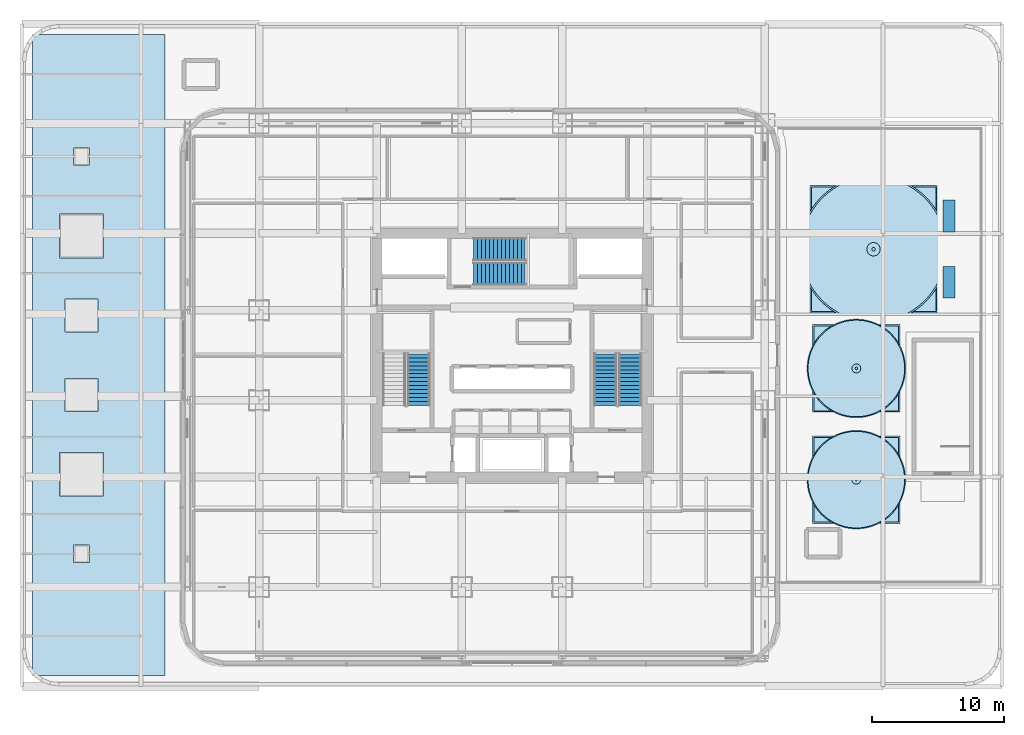
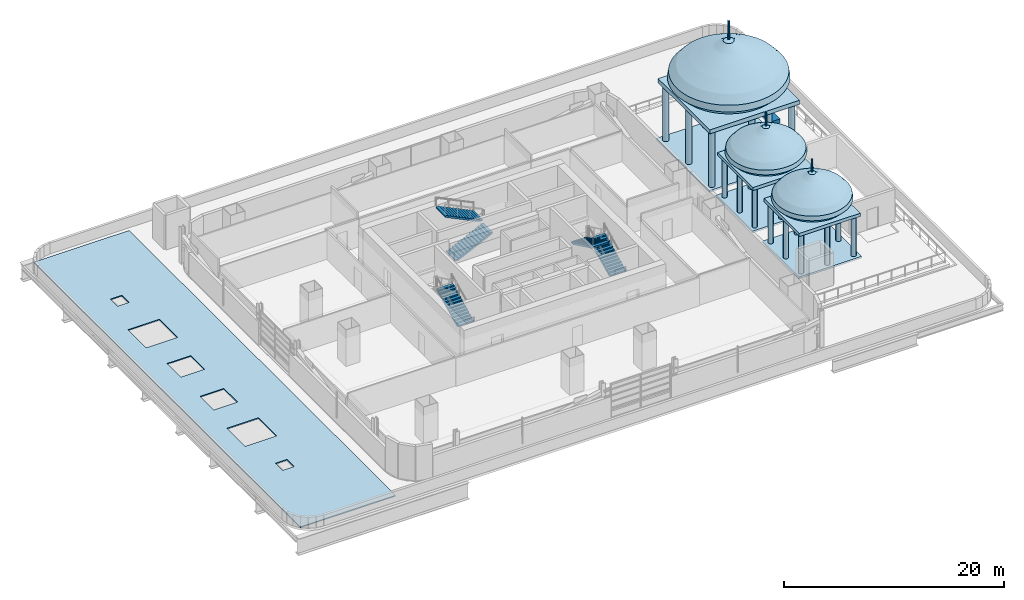
# One storey, part 17 of 30: 5 stair flights, 4 roofs, 2 discrete accessories, 3 elements without a shape of their own.
"""IFC4 building model written with IfcOpenShell, lengths in metres."""

from ifc_helpers import new_model, entity, si_unit, direction, frame, origin, origin_2d, place, context, subcontext, project, spatial, polyline, rectangle, circle, outline, extrude, material, layer, layer_set, type_object, element, aggregate, save


model = new_model("IFC4")

# Units and contexts
model_context = context("Model", 3, precision=1e-05, world=origin(), true_north=direction((0.0, 1.0)))
body_context = subcontext(model_context, "Body", "Model", "MODEL_VIEW")
ifc_project = project(units=[si_unit("LENGTHUNIT", "METRE"), si_unit("AREAUNIT", "SQUARE_METRE"), si_unit("VOLUMEUNIT", "CUBIC_METRE"), si_unit("PLANEANGLEUNIT", "RADIAN"), si_unit("MASSUNIT", "GRAM", prefix="KILO")], contexts=[model_context])

# Site, building, storey
site_placement = place(None, origin())
site = spatial("IfcSite", under=ifc_project, at=site_placement, CompositionType="ELEMENT")
building_placement = place(site_placement, origin())
building = spatial("IfcBuilding", under=site, at=building_placement, Name="Punatoya Terracotta Tower", CompositionType="ELEMENT")
storey_placement = place(building_placement, frame((0.0, 0.0, 28.199951171875)))
storey = spatial("IfcBuildingStorey", under=building, at=storey_placement, Name="L05", CompositionType="ELEMENT", Elevation=28.199951171875)

# Stair, stair flight
ifc_material_1 = material(Name="Concrete C40/50", Category="concrete")
stair_type_1 = type_object("IfcStairType", Name="STR-CORE-1550", PredefinedType="HALF_TURN_STAIR", material=ifc_material_1)
stair_1_placement = place(storey_placement, origin())
stair_1 = element("IfcStair", 1, at=stair_1_placement, inside=storey, type_object=stair_type_1, Name="L05 Protected Core Exit Stair ST-1", PredefinedType="HALF_TURN_STAIR")
stair_flight_type_1 = type_object("IfcStairFlightType", Name="SFL-CORE-1550", PredefinedType="STRAIGHT", material=ifc_material_1)
stair_flight_1_placement = place(storey_placement, frame((-7.050048828125, -3.800048828125, 0.0), z_axis=(0.0, 0.0, 1.0), x_axis=(0.0, 1.0, 0.0)))
stair_flight_1 = element("IfcStairFlight", 2, at=stair_flight_1_placement, type_object=stair_flight_type_1, Name="ST-1 flight 1", NumberOfRisers=14, NumberOfTreads=13, PredefinedType="STRAIGHT", RiserHeight=0.144642857, TreadLength=0.3, context=body_context, shape_type="SweptSolid", body=[
    extrude(outline(polyline([(0.0, 0.0), (0.0, 0.14453125), (0.300048828125, 0.14453125), (0.300048828125, 0.289306640625), (0.60009765625, 0.289306640625), (0.60009765625, 0.433837890625), (0.89990234375, 0.433837890625), (0.89990234375, 0.57861328125), (1.199951171875, 0.57861328125), (1.199951171875, 0.72314453125), (1.5, 0.72314453125), (1.5, 0.867919921875), (1.800048828125, 0.867919921875), (1.800048828125, 1.012451171875), (2.10009765625, 1.012451171875), (2.10009765625, 1.1572265625), (2.39990234375, 1.1572265625), (2.39990234375, 1.3017578125), (2.699951171875, 1.3017578125), (2.699951171875, 1.446533203125), (3.0, 1.446533203125), (3.0, 1.591064453125), (3.300048828125, 1.591064453125), (3.300048828125, 1.735595703125), (3.60009765625, 1.735595703125), (3.60009765625, 1.88037109375), (3.89990234375, 1.88037109375), (3.89990234375, 2.02490234375), (3.89990234375, 1.7138671875), (0.34521484375, 0.0), (0.0, 0.0)])), frame((0.0, 0.85009765625, 0.0), z_axis=(0.0, -1.0, 0.0), x_axis=(1.0, 0.0, 0.0)), (0.0, 0.0, 1.0), 1.699951171875),
])
aggregate(stair_1, [stair_flight_1])

# Stair, stair flights
stair_type_2 = type_object("IfcStairType", Name="STR-LOB-1650", PredefinedType="HALF_TURN_STAIR", material=ifc_material_1)
stair_2_placement = place(storey_placement, origin())
stair_2 = element("IfcStair", 3, at=stair_2_placement, inside=storey, type_object=stair_type_2, Name="L05 Protected Core Exit Stair ST-2", PredefinedType="HALF_TURN_STAIR")
stair_flight_type_2 = type_object("IfcStairFlightType", Name="SFL-LOB-1650", PredefinedType="STRAIGHT", material=ifc_material_1)
stair_flight_2_placement = place(storey_placement, frame((8.89990234375, -3.800048828125, 0.0), z_axis=(0.0, 0.0, 1.0), x_axis=(0.0, 1.0, 0.0)))
stair_flight_2 = element("IfcStairFlight", 4, at=stair_flight_2_placement, type_object=stair_flight_type_2, Name="ST-2 flight 1", NumberOfRisers=14, NumberOfTreads=13, PredefinedType="STRAIGHT", RiserHeight=0.144642857, TreadLength=0.3, context=body_context, shape_type="SweptSolid", body=[
    extrude(outline(polyline([(0.0, 0.0), (0.0, 0.14453125), (0.300048828125, 0.14453125), (0.300048828125, 0.289306640625), (0.60009765625, 0.289306640625), (0.60009765625, 0.433837890625), (0.89990234375, 0.433837890625), (0.89990234375, 0.57861328125), (1.199951171875, 0.57861328125), (1.199951171875, 0.72314453125), (1.5, 0.72314453125), (1.5, 0.867919921875), (1.800048828125, 0.867919921875), (1.800048828125, 1.012451171875), (2.10009765625, 1.012451171875), (2.10009765625, 1.1572265625), (2.39990234375, 1.1572265625), (2.39990234375, 1.3017578125), (2.699951171875, 1.3017578125), (2.699951171875, 1.446533203125), (3.0, 1.446533203125), (3.0, 1.591064453125), (3.300048828125, 1.591064453125), (3.300048828125, 1.735595703125), (3.60009765625, 1.735595703125), (3.60009765625, 1.88037109375), (3.89990234375, 1.88037109375), (3.89990234375, 2.02490234375), (3.89990234375, 1.7138671875), (0.34521484375, 0.0), (0.0, 0.0)])), frame((0.0, 0.85009765625, 0.0), z_axis=(0.0, -1.0, 0.0), x_axis=(1.0, 0.0, 0.0)), (0.0, 0.0, 1.0), 1.699951171875),
])
stair_flight_3_placement = place(storey_placement, frame((7.050048828125, 0.10009765625, 2.025146484375), z_axis=(0.0, 0.0, 1.0), x_axis=(0.0, -1.0, 0.0)))
stair_flight_3 = element("IfcStairFlight", 5, at=stair_flight_3_placement, type_object=stair_flight_type_2, Name="ST-2 flight 2", NumberOfRisers=14, NumberOfTreads=13, PredefinedType="STRAIGHT", RiserHeight=0.144642857, TreadLength=0.3, context=body_context, shape_type="SweptSolid", body=[
    extrude(outline(polyline([(0.0, 0.0), (0.0, 0.14453125), (0.300048828125, 0.14453125), (0.300048828125, 0.289306640625), (0.60009765625, 0.289306640625), (0.60009765625, 0.433837890625), (0.89990234375, 0.433837890625), (0.89990234375, 0.57861328125), (1.199951171875, 0.57861328125), (1.199951171875, 0.72314453125), (1.5, 0.72314453125), (1.5, 0.867919921875), (1.800048828125, 0.867919921875), (1.800048828125, 1.012451171875), (2.10009765625, 1.012451171875), (2.10009765625, 1.1572265625), (2.39990234375, 1.1572265625), (2.39990234375, 1.3017578125), (2.699951171875, 1.3017578125), (2.699951171875, 1.446533203125), (3.0, 1.446533203125), (3.0, 1.591064453125), (3.300048828125, 1.591064453125), (3.300048828125, 1.735595703125), (3.60009765625, 1.735595703125), (3.60009765625, 1.88037109375), (3.89990234375, 1.88037109375), (3.89990234375, 2.02490234375), (3.89990234375, 1.7138671875), (0.34521484375, 0.0), (0.0, 0.0)])), frame((0.0, 0.85009765625, 0.0), z_axis=(0.0, -1.0, 0.0), x_axis=(1.0, 0.0, 0.0)), (0.0, 0.0, 1.0), 1.699951171875),
])
aggregate(stair_2, [stair_flight_2, stair_flight_3])

stair_type_3 = type_object("IfcStairType", Name="STR-TER-1450", PredefinedType="HALF_TURN_STAIR", material=ifc_material_1)
stair_3_placement = place(storey_placement, origin())
stair_3 = element("IfcStair", 6, at=stair_3_placement, inside=storey, type_object=stair_type_3, Name="L05 Protected Core Exit Stair ST-3", PredefinedType="HALF_TURN_STAIR")
stair_flight_type_3 = type_object("IfcStairFlightType", Name="SFL-TER-1450", PredefinedType="STRAIGHT", material=ifc_material_1)
stair_flight_4_placement = place(storey_placement, frame((-2.89990234375, 6.14990234375, 0.0), z_axis=(0.0, 0.0, 1.0), x_axis=(1.0, 0.0, 0.0)))
stair_flight_4 = element("IfcStairFlight", 7, at=stair_flight_4_placement, type_object=stair_flight_type_3, Name="ST-3 flight 1", NumberOfRisers=14, NumberOfTreads=13, PredefinedType="STRAIGHT", RiserHeight=0.144642857, TreadLength=0.3, context=body_context, shape_type="SweptSolid", body=[
    extrude(outline(polyline([(0.0, 0.0), (0.0, 0.14453125), (0.300048828125, 0.14453125), (0.300048828125, 0.289306640625), (0.60009765625, 0.289306640625), (0.60009765625, 0.433837890625), (0.89990234375, 0.433837890625), (0.89990234375, 0.57861328125), (1.199951171875, 0.57861328125), (1.199951171875, 0.72314453125), (1.5, 0.72314453125), (1.5, 0.867919921875), (1.800048828125, 0.867919921875), (1.800048828125, 1.012451171875), (2.10009765625, 1.012451171875), (2.10009765625, 1.1572265625), (2.39990234375, 1.1572265625), (2.39990234375, 1.3017578125), (2.699951171875, 1.3017578125), (2.699951171875, 1.446533203125), (3.0, 1.446533203125), (3.0, 1.591064453125), (3.300048828125, 1.591064453125), (3.300048828125, 1.735595703125), (3.60009765625, 1.735595703125), (3.60009765625, 1.88037109375), (3.89990234375, 1.88037109375), (3.89990234375, 2.02490234375), (3.89990234375, 1.7138671875), (0.34521484375, 0.0), (0.0, 0.0)])), frame((0.0, 0.85009765625, 0.0), z_axis=(0.0, -1.0, 0.0), x_axis=(1.0, 0.0, 0.0)), (0.0, 0.0, 1.0), 1.699951171875),
])
stair_flight_5_placement = place(storey_placement, frame((1.0, 8.0, 2.025146484375), z_axis=(0.0, 0.0, 1.0), x_axis=(-1.0, 0.0, 0.0)))
stair_flight_5 = element("IfcStairFlight", 8, at=stair_flight_5_placement, type_object=stair_flight_type_3, Name="ST-3 flight 2", NumberOfRisers=14, NumberOfTreads=13, PredefinedType="STRAIGHT", RiserHeight=0.144642857, TreadLength=0.3, context=body_context, shape_type="SweptSolid", body=[
    extrude(outline(polyline([(0.0, 0.0), (0.0, 0.14453125), (0.300048828125, 0.14453125), (0.300048828125, 0.289306640625), (0.60009765625, 0.289306640625), (0.60009765625, 0.433837890625), (0.89990234375, 0.433837890625), (0.89990234375, 0.57861328125), (1.199951171875, 0.57861328125), (1.199951171875, 0.72314453125), (1.5, 0.72314453125), (1.5, 0.867919921875), (1.800048828125, 0.867919921875), (1.800048828125, 1.012451171875), (2.10009765625, 1.012451171875), (2.10009765625, 1.1572265625), (2.39990234375, 1.1572265625), (2.39990234375, 1.3017578125), (2.699951171875, 1.3017578125), (2.699951171875, 1.446533203125), (3.0, 1.446533203125), (3.0, 1.591064453125), (3.300048828125, 1.591064453125), (3.300048828125, 1.735595703125), (3.60009765625, 1.735595703125), (3.60009765625, 1.88037109375), (3.89990234375, 1.88037109375), (3.89990234375, 2.02490234375), (3.89990234375, 1.7138671875), (0.34521484375, 0.0), (0.0, 0.0)])), frame((0.0, 0.85009765625, 0.0), z_axis=(0.0, -1.0, 0.0), x_axis=(1.0, 0.0, 0.0)), (0.0, 0.0, 1.0), 1.699951171875),
])
aggregate(stair_3, [stair_flight_4, stair_flight_5])

# Roofs
ifc_layer = layer(ifc_material_1, 0.25)
ifc_layer_set = layer_set([ifc_layer], Name="Concrete C40/50")
roof_type_1 = type_object("IfcRoofType", Name="ROF-BARADARI", PredefinedType="FLAT_ROOF", material=ifc_layer_set)
roof_1_placement = place(storey_placement, origin())
element("IfcRoof", 9, at=roof_1_placement, inside=storey, type_object=roof_type_1, Name="L05 West Podium Roof Waterproofing Assembly", PredefinedType="FLAT_ROOF", context=body_context, shape_type="SweptSolid", body=[
    extrude(outline(polyline([(-36.199951171875, -24.199951171875), (-26.199951171875, -24.199951171875), (-26.199951171875, 24.199951171875), (-36.199951171875, 24.199951171875), (-36.199951171875, -24.199951171875)]), holes=[polyline([(-33.10009765625, -15.64990234375), (-33.10009765625, -14.35009765625), (-31.89990234375, -14.35009765625), (-31.89990234375, -15.64990234375), (-33.10009765625, -15.64990234375)]), polyline([(-34.14990234375, -7.35009765625), (-30.85009765625, -7.35009765625), (-30.85009765625, -10.64990234375), (-34.14990234375, -10.64990234375), (-34.14990234375, -7.35009765625)]), polyline([(-33.75, -1.75), (-31.25, -1.75), (-31.25, -4.25), (-33.75, -4.25), (-33.75, -1.75)]), polyline([(-33.75, 1.75), (-33.75, 4.25), (-31.25, 4.25), (-31.25, 1.75), (-33.75, 1.75)]), polyline([(-34.14990234375, 10.64990234375), (-30.85009765625, 10.64990234375), (-30.85009765625, 7.35009765625), (-34.14990234375, 7.35009765625), (-34.14990234375, 10.64990234375)]), polyline([(-33.10009765625, 15.64990234375), (-31.89990234375, 15.64990234375), (-31.89990234375, 14.35009765625), (-33.10009765625, 14.35009765625), (-33.10009765625, 15.64990234375)])]), origin(), (0.0, 0.0, 1.0), 0.1201171875),
])
ifc_material_2 = material(Name="Architectural Fired Terracotta", Category="masonry")
roof_type_2 = type_object("IfcRoofType", Name="ROF-CHH-6000", PredefinedType="DOME_ROOF", material=ifc_material_2)
roof_2_placement = place(storey_placement, frame((26.0, -1.0, 0.0), z_axis=(0.0, 0.0, 1.0), x_axis=(1.0, 0.0, 0.0)))
cartesian_point_1 = entity("IfcCartesianPoint", [0.0, 0.0])
element("IfcRoof", 10, at=roof_2_placement, inside=storey, type_object=roof_type_2, Name="L05 Podium Garden Pavilion (Chhatri) CH-02", PredefinedType="DOME_ROOF", context=body_context, shape_type="SweptSolid", body=[
    extrude(rectangle(XDim=6.60009765625, YDim=6.60009765625, at=origin_2d()), origin(), (0.0, 0.0, 1.0), 0.199951171875),
    extrude(circle(Radius=0.25, at=origin_2d()), frame((-2.75, -2.75, 0.199951171875)), (0.0, 0.0, 1.0), 4.39990234375),
    extrude(circle(Radius=0.25, at=origin_2d()), frame((2.75, -2.75, 0.199951171875)), (0.0, 0.0, 1.0), 4.39990234375),
    extrude(circle(Radius=0.25, at=origin_2d()), frame((2.75, 2.75, 0.199951171875)), (0.0, 0.0, 1.0), 4.39990234375),
    extrude(circle(Radius=0.25, at=origin_2d()), frame((-2.75, 2.75, 0.199951171875)), (0.0, 0.0, 1.0), 4.39990234375),
    extrude(circle(Radius=0.25, at=origin_2d()), frame((0.0, -2.75, 0.199951171875)), (0.0, 0.0, 1.0), 4.39990234375),
    extrude(circle(Radius=0.25, at=origin_2d()), frame((2.75, 0.0, 0.199951171875)), (0.0, 0.0, 1.0), 4.39990234375),
    extrude(circle(Radius=0.25, at=origin_2d()), frame((0.0, 2.75, 0.199951171875)), (0.0, 0.0, 1.0), 4.39990234375),
    extrude(circle(Radius=0.25, at=origin_2d()), frame((-2.75, 0.0, 0.199951171875)), (0.0, 0.0, 1.0), 4.39990234375),
    extrude(rectangle(XDim=6.39990234375, YDim=6.39990234375, at=origin_2d()), frame((0.0, 0.0, 4.599853515625)), (0.0, 0.0, 1.0), 0.35009765625),
    entity("IfcRevolvedAreaSolid", entity("IfcArbitraryClosedProfileDef", "AREA", None, entity("IfcPolyline", [cartesian_point_1, entity("IfcCartesianPoint", [2.455078125, 0.0]), entity("IfcCartesianPoint", [2.678466796875, 0.18994140625]), entity("IfcCartesianPoint", [3.273681640625, 0.493896484375]), entity("IfcCartesianPoint", [3.719970703125, 0.949951171875]), entity("IfcCartesianPoint", [3.6455078125, 1.406005859375]), entity("IfcCartesianPoint", [3.19921875, 1.93798828125]), entity("IfcCartesianPoint", [2.380859375, 2.469970703125]), entity("IfcCartesianPoint", [1.5625, 2.926025390625]), entity("IfcCartesianPoint", [0.892822265625, 3.26806640625]), entity("IfcCartesianPoint", [0.520751953125, 3.533935546875]), entity("IfcCartesianPoint", [0.334716796875, 3.68603515625]), entity("IfcCartesianPoint", [0.0, 3.800048828125]), cartesian_point_1])), entity("IfcAxis2Placement3D", entity("IfcCartesianPoint", [0.0, 0.0, 4.949951171875]), entity("IfcDirection", [0.0, -1.0, 0.0]), entity("IfcDirection", [1.0, 0.0, 0.0])), entity("IfcAxis1Placement", entity("IfcCartesianPoint", [0.0, 0.0, 0.0]), entity("IfcDirection", [0.0, 1.0, 0.0])), 6.283185307179586),
    extrude(circle(Radius=0.10009765625, at=origin_2d()), frame((0.0, 0.0, 8.75)), (0.0, 0.0, 1.0), 1.39990234375),
])
roof_3_placement = place(storey_placement, frame((26.0, -9.39990234375, 0.0), z_axis=(0.0, 0.0, 1.0), x_axis=(1.0, 0.0, 0.0)))
cartesian_point_2 = entity("IfcCartesianPoint", [0.0, 0.0])
element("IfcRoof", 11, at=roof_3_placement, inside=storey, type_object=roof_type_2, Name="L05 Podium Garden Pavilion (Chhatri) CH-03", PredefinedType="DOME_ROOF", context=body_context, shape_type="SweptSolid", body=[
    extrude(rectangle(XDim=6.60009765625, YDim=6.60009765625, at=origin_2d()), origin(), (0.0, 0.0, 1.0), 0.199951171875),
    extrude(circle(Radius=0.25, at=origin_2d()), frame((-2.75, -2.75, 0.199951171875)), (0.0, 0.0, 1.0), 4.39990234375),
    extrude(circle(Radius=0.25, at=origin_2d()), frame((2.75, -2.75, 0.199951171875)), (0.0, 0.0, 1.0), 4.39990234375),
    extrude(circle(Radius=0.25, at=origin_2d()), frame((2.75, 2.75, 0.199951171875)), (0.0, 0.0, 1.0), 4.39990234375),
    extrude(circle(Radius=0.25, at=origin_2d()), frame((-2.75, 2.75, 0.199951171875)), (0.0, 0.0, 1.0), 4.39990234375),
    extrude(circle(Radius=0.25, at=origin_2d()), frame((0.0, -2.75, 0.199951171875)), (0.0, 0.0, 1.0), 4.39990234375),
    extrude(circle(Radius=0.25, at=origin_2d()), frame((2.75, 0.0, 0.199951171875)), (0.0, 0.0, 1.0), 4.39990234375),
    extrude(circle(Radius=0.25, at=origin_2d()), frame((0.0, 2.75, 0.199951171875)), (0.0, 0.0, 1.0), 4.39990234375),
    extrude(circle(Radius=0.25, at=origin_2d()), frame((-2.75, 0.0, 0.199951171875)), (0.0, 0.0, 1.0), 4.39990234375),
    extrude(rectangle(XDim=6.39990234375, YDim=6.39990234375, at=origin_2d()), frame((0.0, 0.0, 4.599853515625)), (0.0, 0.0, 1.0), 0.35009765625),
    entity("IfcRevolvedAreaSolid", entity("IfcArbitraryClosedProfileDef", "AREA", None, entity("IfcPolyline", [cartesian_point_2, entity("IfcCartesianPoint", [2.455078125, 0.0]), entity("IfcCartesianPoint", [2.678466796875, 0.18994140625]), entity("IfcCartesianPoint", [3.273681640625, 0.493896484375]), entity("IfcCartesianPoint", [3.719970703125, 0.949951171875]), entity("IfcCartesianPoint", [3.6455078125, 1.406005859375]), entity("IfcCartesianPoint", [3.19921875, 1.93798828125]), entity("IfcCartesianPoint", [2.380859375, 2.469970703125]), entity("IfcCartesianPoint", [1.5625, 2.926025390625]), entity("IfcCartesianPoint", [0.892822265625, 3.26806640625]), entity("IfcCartesianPoint", [0.520751953125, 3.533935546875]), entity("IfcCartesianPoint", [0.334716796875, 3.68603515625]), entity("IfcCartesianPoint", [0.0, 3.800048828125]), cartesian_point_2])), entity("IfcAxis2Placement3D", entity("IfcCartesianPoint", [0.0, 0.0, 4.949951171875]), entity("IfcDirection", [0.0, -1.0, 0.0]), entity("IfcDirection", [1.0, 0.0, 0.0])), entity("IfcAxis1Placement", entity("IfcCartesianPoint", [0.0, 0.0, 0.0]), entity("IfcDirection", [0.0, 1.0, 0.0])), 6.283185307179586),
    extrude(circle(Radius=0.10009765625, at=origin_2d()), frame((0.0, 0.0, 8.75)), (0.0, 0.0, 1.0), 1.39990234375),
])
roof_type_3 = type_object("IfcRoofType", Name="ROF-CHH-9000", PredefinedType="DOME_ROOF", material=ifc_material_2)
roof_4_placement = place(storey_placement, frame((27.300048828125, 8.0, 0.0), z_axis=(0.0, 0.0, 1.0), x_axis=(1.0, 0.0, 0.0)))
cartesian_point_3 = entity("IfcCartesianPoint", [0.0, 0.0])
element("IfcRoof", 12, at=roof_4_placement, inside=storey, type_object=roof_type_3, Name="L05 Podium Garden Pavilion (Chhatri) CH-01", PredefinedType="DOME_ROOF", context=body_context, shape_type="SweptSolid", body=[
    extrude(rectangle(XDim=9.60009765625, YDim=9.60009765625, at=origin_2d()), origin(), (0.0, 0.0, 1.0), 0.199951171875),
    extrude(circle(Radius=0.31005859375, at=origin_2d()), frame((-4.18994140625, -4.18994140625, 0.199951171875)), (0.0, 0.0, 1.0), 6.199951171875),
    extrude(circle(Radius=0.31005859375, at=origin_2d()), frame((4.18994140625, -4.18994140625, 0.199951171875)), (0.0, 0.0, 1.0), 6.199951171875),
    extrude(circle(Radius=0.31005859375, at=origin_2d()), frame((4.18994140625, 4.18994140625, 0.199951171875)), (0.0, 0.0, 1.0), 6.199951171875),
    extrude(circle(Radius=0.31005859375, at=origin_2d()), frame((-4.18994140625, 4.18994140625, 0.199951171875)), (0.0, 0.0, 1.0), 6.199951171875),
    extrude(circle(Radius=0.31005859375, at=origin_2d()), frame((0.0, -4.18994140625, 0.199951171875)), (0.0, 0.0, 1.0), 6.199951171875),
    extrude(circle(Radius=0.31005859375, at=origin_2d()), frame((4.18994140625, 0.0, 0.199951171875)), (0.0, 0.0, 1.0), 6.199951171875),
    extrude(circle(Radius=0.31005859375, at=origin_2d()), frame((0.0, 4.18994140625, 0.199951171875)), (0.0, 0.0, 1.0), 6.199951171875),
    extrude(circle(Radius=0.31005859375, at=origin_2d()), frame((-4.18994140625, 0.0, 0.199951171875)), (0.0, 0.0, 1.0), 6.199951171875),
    extrude(rectangle(XDim=9.39990234375, YDim=9.39990234375, at=origin_2d()), frame((0.0, 0.0, 6.39990234375)), (0.0, 0.0, 1.0), 0.449951171875),
    entity("IfcRevolvedAreaSolid", entity("IfcArbitraryClosedProfileDef", "AREA", None, entity("IfcPolyline", [cartesian_point_3, entity("IfcCartesianPoint", [3.682861328125, 0.0]), entity("IfcCartesianPoint", [4.017578125, 0.280029296875]), entity("IfcCartesianPoint", [4.910400390625, 0.72802734375]), entity("IfcCartesianPoint", [5.580078125, 1.39990234375]), entity("IfcCartesianPoint", [5.468505859375, 2.072021484375]), entity("IfcCartesianPoint", [4.798828125, 2.85595703125]), entity("IfcCartesianPoint", [3.5712890625, 3.64013671875]), entity("IfcCartesianPoint", [2.34375, 4.31201171875]), entity("IfcCartesianPoint", [1.339111328125, 4.816162109375]), entity("IfcCartesianPoint", [0.78125, 5.2080078125]), entity("IfcCartesianPoint", [0.502197265625, 5.43212890625]), entity("IfcCartesianPoint", [0.0, 5.60009765625]), cartesian_point_3])), entity("IfcAxis2Placement3D", entity("IfcCartesianPoint", [0.0, 0.0, 6.849853515625]), entity("IfcDirection", [0.0, -1.0, 0.0]), entity("IfcDirection", [1.0, 0.0, 0.0])), entity("IfcAxis1Placement", entity("IfcCartesianPoint", [0.0, 0.0, 0.0]), entity("IfcDirection", [0.0, 1.0, 0.0])), 6.283185307179586),
    extrude(circle(Radius=0.1298828125, at=origin_2d()), frame((0.0, 0.0, 12.449951171875)), (0.0, 0.0, 1.0), 2.0),
])

# Discrete accessories
ifc_material_3 = material(Name="Architectural Terracotta Planter + Green Soil", Category="masonry")
discrete_accessory_type = type_object("IfcDiscreteAccessoryType", Name="ACC-PLANTER", PredefinedType="USERDEFINED", material=ifc_material_3)
for number, where, z_axis, x_axis, name in (
    (13, (33.0, 5.5, 0.0), (0.0, 0.0, 1.0), (0.0, 1.0, 0.0), "L05 Planted Terracotta Sky-Garden Planter 1"),
    (14, (33.0, 10.5, 0.0), (0.0, 0.0, 1.0), (0.0, 1.0, 0.0), "L05 Planted Terracotta Sky-Garden Planter 2"),
):
    element("IfcDiscreteAccessory", number, at=place(storey_placement, frame(where, z_axis=z_axis, x_axis=x_axis)), inside=storey, type_object=discrete_accessory_type, Name=name, ObjectType="PLANTER", PredefinedType="USERDEFINED", context=body_context, shape_type="SweptSolid", body=[
        extrude(rectangle(XDim=2.39990234375, YDim=0.89990234375, at=origin_2d()), origin(), (0.0, 0.0, 1.0), 0.64990234375),
    ])

save(model, "model.ifc")
